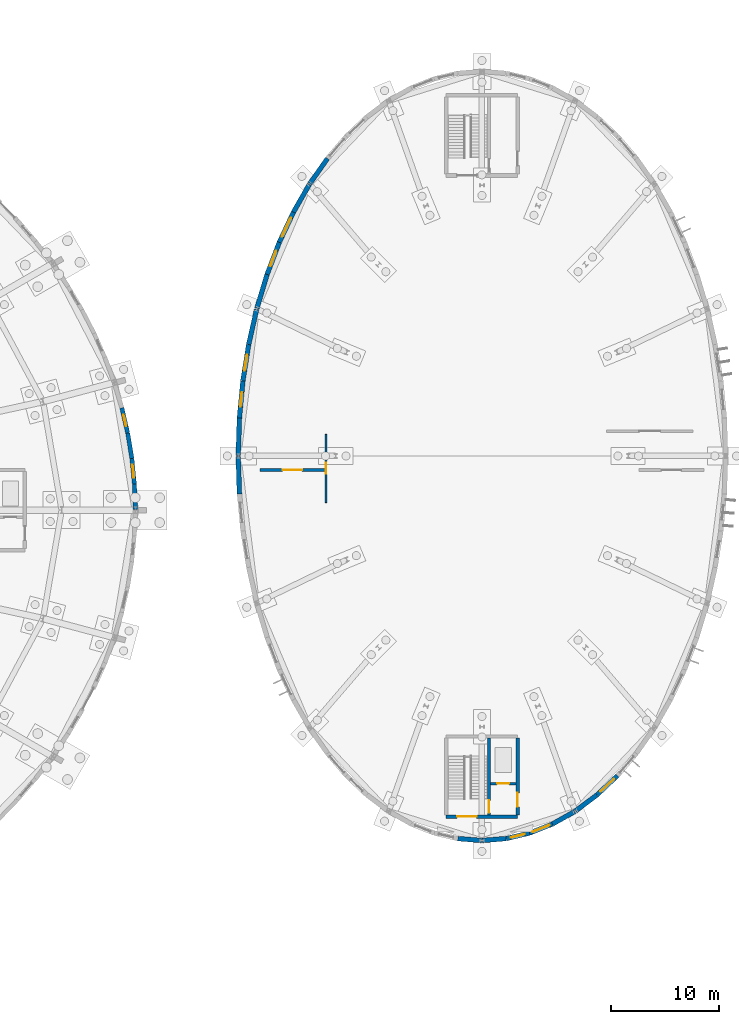
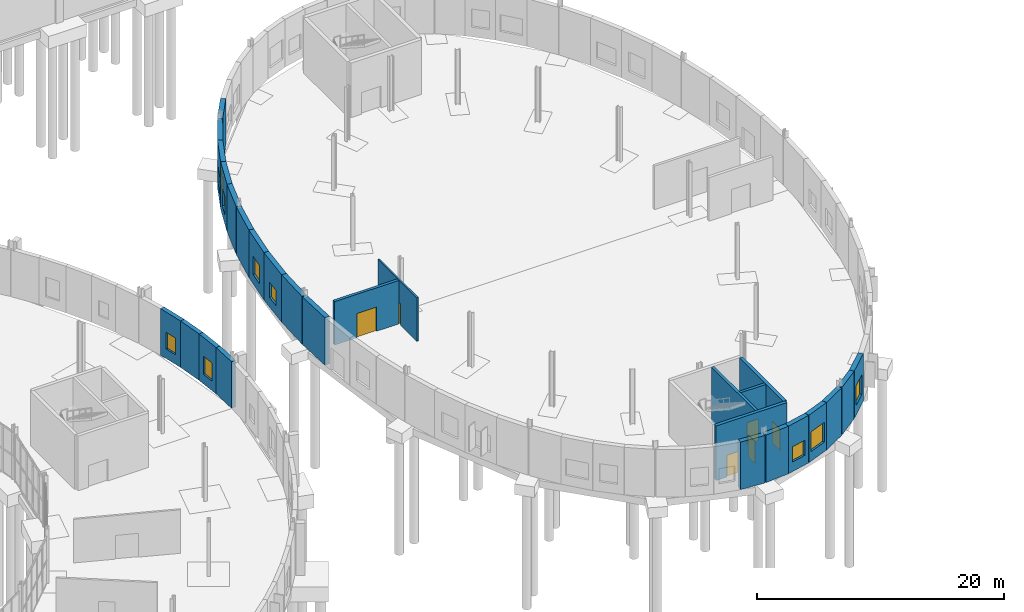
# One storey, part 95 of 118: 27 walls, 9 windows, 6 doors, 15 openings.
"""IFC4 building model written with IfcOpenShell, lengths in metres."""

from ifc_helpers import new_model, si_unit, direction, frame, frame_2d, origin, place, context, subcontext, project, spatial, rectangle, extrude, material, layer, layer_set, type_object, element, fill, save


model = new_model("IFC4")

# Units and contexts
model_context = context("Model", 3, precision=1e-05, world=origin(), true_north=direction((0.0, 1.0)))
body_context = subcontext(model_context, "Body", "Model", "MODEL_VIEW")
ifc_project = project(units=[si_unit("LENGTHUNIT", "METRE"), si_unit("AREAUNIT", "SQUARE_METRE"), si_unit("VOLUMEUNIT", "CUBIC_METRE"), si_unit("PLANEANGLEUNIT", "RADIAN"), si_unit("MASSUNIT", "GRAM", prefix="KILO")], contexts=[model_context])

# Site, building, storey
site_placement = place(None, origin())
site = spatial("IfcSite", under=ifc_project, at=site_placement, CompositionType="ELEMENT")
building_placement = place(site_placement, origin())
building = spatial("IfcBuilding", under=site, at=building_placement, Name="Kildeholm Park Wholesale Market", CompositionType="ELEMENT")
storey_placement = place(building_placement, origin())
storey = spatial("IfcBuildingStorey", under=building, at=storey_placement, Name="L00", CompositionType="ELEMENT", Elevation=0.0)

# Walls
ifc_material_1 = material(Name="Bornholm granite stone plinth and Concrete C35/45 wall", Category="masonry")
ifc_layer_1 = layer(ifc_material_1, 0.39990234375)
ifc_layer_set_1 = layer_set([ifc_layer_1], Name="Bornholm granite stone plinth and Concrete C35/45 wall")
wall_type_1 = type_object("IfcWallType", Name="Exterior wall W-EX2 400 mm", PredefinedType="SOLIDWALL", material=ifc_layer_set_1)
wall_1_placement = place(storey_placement, frame((156.0, 89.5400390625, 0.0), z_axis=(0.0, 0.0, 1.0), x_axis=(-0.033840418878, 0.999427249003, 0.0)))
element("IfcWall", 1, at=wall_1_placement, inside=storey, type_object=wall_type_1, Name="Produce ring outer wall 1.1 WL-0001", PredefinedType="SOLIDWALL", context=body_context, shape_type="SweptSolid", body=[
    extrude(rectangle(XDim=2.366455078125, YDim=0.39990234375, at=frame_2d((1.18310546875, 0.0))), origin(), (0.0, 0.0, 1.0), 4.60009765625),
])
ifc_material_2 = material(Name="Insulated clinker brick and glazed ceramic mosaic facade wall", Category="masonry")
ifc_layer_2 = layer(ifc_material_2, 0.43994140625)
ifc_layer_set_2 = layer_set([ifc_layer_2], Name="Insulated clinker brick and glazed ceramic mosaic facade wall")
wall_type_2 = type_object("IfcWallType", Name="Exterior wall W-EX3 440 mm", PredefinedType="SOLIDWALL", material=ifc_layer_set_2)
wall_2_placement = place(storey_placement, frame((173.739013671875, 121.958984375, 0.0), z_axis=(0.0, 0.0, 1.0), x_axis=(-0.57368792347, -0.81907396886, 0.0)))
element("IfcWall", 2, at=wall_2_placement, inside=storey, type_object=wall_type_2, Name="Oval hall ground wall 6.4 WL-0240", PredefinedType="SOLIDWALL", context=body_context, shape_type="SweptSolid", body=[
    extrude(rectangle(XDim=2.83251953125, YDim=0.43994140625, at=frame_2d((1.416259765625, 0.0))), origin(), (0.0, 0.0, 1.0), 4.699951171875),
])
wall_3_placement = place(storey_placement, frame((172.070068359375, 119.571044921875, 0.0), z_axis=(0.0, 0.0, 1.0), x_axis=(-0.497471035599, -0.867480586953, 0.0)))
element("IfcWall", 3, at=wall_3_placement, inside=storey, type_object=wall_type_2, Name="Oval hall ground wall 7.1 WL-0243", PredefinedType="SOLIDWALL", context=body_context, shape_type="SweptSolid", body=[
    extrude(rectangle(XDim=2.959228515625, YDim=0.43994140625, at=frame_2d((1.4794921875, 0.0))), origin(), (0.0, 0.0, 1.0), 4.699951171875),
])

# Wall, opening, window
wall_4_placement = place(storey_placement, frame((170.597900390625, 117.00390625, 0.0), z_axis=(0.0, 0.0, 1.0), x_axis=(-0.425050654278, -0.905169564942, 0.0)))
wall_4 = element("IfcWall", 4, at=wall_4_placement, inside=storey, type_object=wall_type_2, Name="Oval hall ground wall 7.2 WL-0244", PredefinedType="SOLIDWALL", context=body_context, shape_type="SweptSolid", body=[
    extrude(rectangle(XDim=3.072265625, YDim=0.43994140625, at=frame_2d((1.5361328125, 0.0))), origin(), (0.0, 0.0, 1.0), 4.699951171875),
])
opening_1_placement = place(wall_4_placement, frame((0.56103515625, 0.0, 0.949951171875)))
opening_1 = element("IfcOpeningElement", 5, at=opening_1_placement, cuts=wall_4, Name="Opening WN-22", PredefinedType="OPENING", context=body_context, shape_type="SweptSolid", body=[
    extrude(rectangle(XDim=1.949951171875, YDim=1.64990234375, at=frame_2d((0.97509765625, 0.824951171875))), frame((0.0, 0.22998046875, 0.0), z_axis=(0.0, -1.0, 0.0), x_axis=(1.0, 0.0, 0.0)), (0.0, 0.0, 1.0), 0.4599609375),
])
ifc_material_3 = material(Name="Thermally broken aluminium and triple-glazed low-E glass", Category="aluminium")
window_type_1 = type_object("IfcWindowType", Name="Window WN-22 1950x1650", PartitioningType="DOUBLE_PANEL_VERTICAL", PredefinedType="WINDOW", material=ifc_material_3)
window_1_placement = place(opening_1_placement, origin())
window_1 = element("IfcWindow", 6, at=window_1_placement, inside=storey, type_object=window_type_1, Name="Oval hall ground window 7.1 WIN-0060", OverallHeight=1.64990234375, OverallWidth=1.949951171875, PartitioningType="SINGLE_PANEL", PredefinedType="WINDOW", context=body_context, shape_type="SweptSolid", body=[
    extrude(rectangle(XDim=1.949951171875, YDim=1.64990234375, at=frame_2d((0.97509765625, 0.824951171875))), frame((0.0, 0.030029296875, 0.0), z_axis=(0.0, -1.0, 0.0), x_axis=(1.0, 0.0, 0.0)), (0.0, 0.0, 1.0), 0.06005859375),
])
fill(opening_1, window_1)

wall_5_placement = place(storey_placement, frame((169.2919921875, 114.222900390625, 0.0), z_axis=(0.0, 0.0, 1.0), x_axis=(-0.355407153168, -0.934711589463, 0.0)))
wall_5 = element("IfcWall", 7, at=wall_5_placement, inside=storey, type_object=wall_type_2, Name="Oval hall ground wall 7.3 WL-0245", PredefinedType="SOLIDWALL", context=body_context, shape_type="SweptSolid", body=[
    extrude(rectangle(XDim=3.17626953125, YDim=0.43994140625, at=frame_2d((1.588134765625, 0.0))), origin(), (0.0, 0.0, 1.0), 4.699951171875),
])
opening_2_placement = place(wall_5_placement, frame((0.837890625, 0.0, 0.949951171875)))
opening_2 = element("IfcOpeningElement", 8, at=opening_2_placement, cuts=wall_5, Name="Opening WN-06", PredefinedType="OPENING", context=body_context, shape_type="SweptSolid", body=[
    extrude(rectangle(XDim=1.5, YDim=1.800048828125, at=frame_2d((0.75, 0.89990234375))), frame((0.0, 0.22998046875, 0.0), z_axis=(0.0, -1.0, 0.0), x_axis=(1.0, 0.0, 0.0)), (0.0, 0.0, 1.0), 0.4599609375),
])
window_type_2 = type_object("IfcWindowType", Name="Window WN-06 1500x1800", PartitioningType="DOUBLE_PANEL_VERTICAL", PredefinedType="WINDOW", material=ifc_material_3)
window_2_placement = place(opening_2_placement, origin())
window_2 = element("IfcWindow", 9, at=window_2_placement, inside=storey, type_object=window_type_2, Name="Oval hall ground window 7.2 WIN-0061", OverallHeight=1.800048828125, OverallWidth=1.5, PartitioningType="SINGLE_PANEL", PredefinedType="WINDOW", context=body_context, shape_type="SweptSolid", body=[
    extrude(rectangle(XDim=1.5, YDim=1.800048828125, at=frame_2d((0.75, 0.89990234375))), frame((0.0, 0.030029296875, 0.0), z_axis=(0.0, -1.0, 0.0), x_axis=(1.0, 0.0, 0.0)), (0.0, 0.0, 1.0), 0.06005859375),
])
fill(opening_2, window_2)

# Walls
wall_6_placement = place(storey_placement, frame((168.1630859375, 111.25390625, 0.0), z_axis=(0.0, 0.0, 1.0), x_axis=(-0.287512482209, -0.957776890812, 0.0)))
element("IfcWall", 10, at=wall_6_placement, inside=storey, type_object=wall_type_2, Name="Oval hall ground wall 7.4 WL-0246", PredefinedType="SOLIDWALL", context=body_context, shape_type="SweptSolid", body=[
    extrude(rectangle(XDim=3.265869140625, YDim=0.43994140625, at=frame_2d((1.6328125, 0.0))), origin(), (0.0, 0.0, 1.0), 4.699951171875),
])
wall_7_placement = place(storey_placement, frame((167.202880859375, 108.048095703125, 0.0), z_axis=(0.0, 0.0, 1.0), x_axis=(-0.220592446256, -0.975366071101, 0.0)))
element("IfcWall", 11, at=wall_7_placement, inside=storey, type_object=wall_type_2, Name="Oval hall ground wall 8.1 WL-0249", PredefinedType="SOLIDWALL", context=body_context, shape_type="SweptSolid", body=[
    extrude(rectangle(XDim=3.344482421875, YDim=0.43994140625, at=frame_2d((1.67236328125, 0.0))), origin(), (0.0, 0.0, 1.0), 4.699951171875),
])

# Wall, opening, window
wall_8_placement = place(storey_placement, frame((166.465087890625, 104.785888671875, 0.0), z_axis=(0.0, 0.0, 1.0), x_axis=(-0.156736432103, -0.98764046639, 0.0)))
wall_8 = element("IfcWall", 12, at=wall_8_placement, inside=storey, type_object=wall_type_2, Name="Oval hall ground wall 8.2 WL-0250", PredefinedType="SOLIDWALL", context=body_context, shape_type="SweptSolid", body=[
    extrude(rectangle(XDim=3.40185546875, YDim=0.43994140625, at=frame_2d((1.700927734375, 0.0))), origin(), (0.0, 0.0, 1.0), 4.699951171875),
])
opening_3_placement = place(wall_8_placement, frame((0.950927734375, 0.0, 0.949951171875)))
opening_3 = element("IfcOpeningElement", 13, at=opening_3_placement, cuts=wall_8, Name="Opening WN-06", PredefinedType="OPENING", context=body_context, shape_type="SweptSolid", body=[
    extrude(rectangle(XDim=1.5, YDim=1.800048828125, at=frame_2d((0.75, 0.89990234375))), frame((0.0, 0.22998046875, 0.0), z_axis=(0.0, -1.0, 0.0), x_axis=(1.0, 0.0, 0.0)), (0.0, 0.0, 1.0), 0.4599609375),
])
window_3_placement = place(opening_3_placement, origin())
window_3 = element("IfcWindow", 14, at=window_3_placement, inside=storey, type_object=window_type_2, Name="Oval hall ground window 8.1 WIN-0064", OverallHeight=1.800048828125, OverallWidth=1.5, PartitioningType="SINGLE_PANEL", PredefinedType="WINDOW", context=body_context, shape_type="SweptSolid", body=[
    extrude(rectangle(XDim=1.5, YDim=1.800048828125, at=frame_2d((0.75, 0.89990234375))), frame((0.0, 0.030029296875, 0.0), z_axis=(0.0, -1.0, 0.0), x_axis=(1.0, 0.0, 0.0)), (0.0, 0.0, 1.0), 0.06005859375),
])
fill(opening_3, window_3)

wall_9_placement = place(storey_placement, frame((165.931884765625, 101.426025390625, 0.0), z_axis=(0.0, 0.0, 1.0), x_axis=(-0.093509939446, -0.995618346167, 0.0)))
wall_9 = element("IfcWall", 15, at=wall_9_placement, inside=storey, type_object=wall_type_2, Name="Oval hall ground wall 8.3 WL-0251", PredefinedType="SOLIDWALL", context=body_context, shape_type="SweptSolid", body=[
    extrude(rectangle(XDim=3.441162109375, YDim=0.43994140625, at=frame_2d((1.720703125, 0.0))), origin(), (0.0, 0.0, 1.0), 4.699951171875),
])
opening_4_placement = place(wall_9_placement, frame((1.0458984375, 0.0, 0.949951171875)))
opening_4 = element("IfcOpeningElement", 16, at=opening_4_placement, cuts=wall_9, Name="Opening WN-10", PredefinedType="OPENING", context=body_context, shape_type="SweptSolid", body=[
    extrude(rectangle(XDim=1.35009765625, YDim=1.5, at=frame_2d((0.675048828125, 0.75))), frame((0.0, 0.22998046875, 0.0), z_axis=(0.0, -1.0, 0.0), x_axis=(1.0, 0.0, 0.0)), (0.0, 0.0, 1.0), 0.4599609375),
])
window_type_3 = type_object("IfcWindowType", Name="Window WN-10 1350x1500", PartitioningType="SINGLE_PANEL", PredefinedType="WINDOW", material=ifc_material_3)
window_4_placement = place(opening_4_placement, origin())
window_4 = element("IfcWindow", 17, at=window_4_placement, inside=storey, type_object=window_type_3, Name="Oval hall ground window 8.2 WIN-0065", OverallHeight=1.5, OverallWidth=1.35009765625, PartitioningType="SINGLE_PANEL", PredefinedType="WINDOW", context=body_context, shape_type="SweptSolid", body=[
    extrude(rectangle(XDim=1.35009765625, YDim=1.5, at=frame_2d((0.675048828125, 0.75))), frame((0.0, 0.030029296875, 0.0), z_axis=(0.0, -1.0, 0.0), x_axis=(1.0, 0.0, 0.0)), (0.0, 0.0, 1.0), 0.06005859375),
])
fill(opening_4, window_4)

# Walls
for number, where, z_axis, x_axis, name in (
    (18, (165.610107421875, 98.0, 0.0), (0.0, 0.0, 1.0), (-0.031816182625, -0.999493737111, 0.0), "Oval hall ground wall 8.4 WL-0252"),
    (19, (165.5, 94.458984375, 0.0), (0.0, 0.0, 1.0), (0.031816182625, -0.999493737111, 0.0), "Oval hall ground wall 9.1 WL-0255"),
):
    element("IfcWall", number, at=place(storey_placement, frame(where, z_axis=z_axis, x_axis=x_axis)), inside=storey, type_object=wall_type_2, Name=name, PredefinedType="SOLIDWALL", context=body_context, shape_type="SweptSolid", body=[
        extrude(rectangle(XDim=3.460693359375, YDim=0.43994140625, at=frame_2d((1.73046875, 0.0))), origin(), (0.0, 0.0, 1.0), 4.699951171875),
    ])
for number, where, z_axis, x_axis, name in (
    (20, (185.77490234375, 59.174072265625, 0.0), (0.0, 0.0, 1.0), (0.996844591963, -0.079377953325, 0.0), "Oval hall ground wall 12.4 WL-0276"),
    (21, (188.0390625, 59.0, 0.0), (0.0, 0.0, 1.0), (0.996844591963, 0.079377953325, 0.0), "Oval hall ground wall 13.1 WL-0279"),
):
    element("IfcWall", number, at=place(storey_placement, frame(where, z_axis=z_axis, x_axis=x_axis)), inside=storey, type_object=wall_type_2, Name=name, PredefinedType="SOLIDWALL", context=body_context, shape_type="SweptSolid", body=[
        extrude(rectangle(XDim=2.19287109375, YDim=0.43994140625, at=frame_2d((1.096435546875, 0.0))), origin(), (0.0, 0.0, 1.0), 4.699951171875),
    ])

# Wall, opening, window
wall_10_placement = place(storey_placement, frame((190.22509765625, 59.174072265625, 0.0), z_axis=(0.0, 0.0, 1.0), x_axis=(0.973572460089, 0.228378337317, 0.0)))
wall_10 = element("IfcWall", 22, at=wall_10_placement, inside=storey, type_object=wall_type_2, Name="Oval hall ground wall 13.2 WL-0280", PredefinedType="SOLIDWALL", context=body_context, shape_type="SweptSolid", body=[
    extrude(rectangle(XDim=2.2236328125, YDim=0.43994140625, at=frame_2d((1.11181640625, 0.0))), origin(), (0.0, 0.0, 1.0), 4.699951171875),
])
opening_5_placement = place(wall_10_placement, frame((0.43701171875, 0.0, 0.949951171875)))
opening_5 = element("IfcOpeningElement", 23, at=opening_5_placement, cuts=wall_10, Name="Opening WN-10", PredefinedType="OPENING", context=body_context, shape_type="SweptSolid", body=[
    extrude(rectangle(XDim=1.35009765625, YDim=1.5, at=frame_2d((0.675048828125, 0.75))), frame((0.0, 0.22998046875, 0.0), z_axis=(0.0, -1.0, 0.0), x_axis=(1.0, 0.0, 0.0)), (0.0, 0.0, 1.0), 0.4599609375),
])
window_5_placement = place(opening_5_placement, origin())
window_5 = element("IfcWindow", 24, at=window_5_placement, inside=storey, type_object=window_type_3, Name="Oval hall ground window 13.1 WIN-0079", OverallHeight=1.5, OverallWidth=1.35009765625, PartitioningType="SINGLE_PANEL", PredefinedType="WINDOW", context=body_context, shape_type="SweptSolid", body=[
    extrude(rectangle(XDim=1.35009765625, YDim=1.5, at=frame_2d((0.675048828125, 0.75))), frame((0.0, 0.030029296875, 0.0), z_axis=(0.0, -1.0, 0.0), x_axis=(1.0, 0.0, 0.0)), (0.0, 0.0, 1.0), 0.06005859375),
])
fill(opening_5, window_5)

wall_11_placement = place(storey_placement, frame((192.389892578125, 59.681884765625, 0.0), z_axis=(0.0, 0.0, 1.0), x_axis=(0.930141762333, 0.367200629035, 0.0)))
wall_11 = element("IfcWall", 25, at=wall_11_placement, inside=storey, type_object=wall_type_2, Name="Oval hall ground wall 13.3 WL-0281", PredefinedType="SOLIDWALL", context=body_context, shape_type="SweptSolid", body=[
    extrude(rectangle(XDim=2.282470703125, YDim=0.43994140625, at=frame_2d((1.14111328125, 0.0))), origin(), (0.0, 0.0, 1.0), 4.699951171875),
])
opening_6_placement = place(wall_11_placement, frame((0.291015625, 0.0, 0.949951171875)))
opening_6 = element("IfcOpeningElement", 26, at=opening_6_placement, cuts=wall_11, Name="Opening WN-21", PredefinedType="OPENING", context=body_context, shape_type="SweptSolid", body=[
    extrude(rectangle(XDim=1.699951171875, YDim=1.949951171875, at=frame_2d((0.85009765625, 0.97509765625))), frame((0.0, 0.22998046875, 0.0), z_axis=(0.0, -1.0, 0.0), x_axis=(1.0, 0.0, 0.0)), (0.0, 0.0, 1.0), 0.4599609375),
])
window_type_4 = type_object("IfcWindowType", Name="Window WN-21 1700x1950", PartitioningType="DOUBLE_PANEL_VERTICAL", PredefinedType="WINDOW", material=ifc_material_3)
window_6_placement = place(opening_6_placement, origin())
window_6 = element("IfcWindow", 27, at=window_6_placement, inside=storey, type_object=window_type_4, Name="Oval hall ground window 13.2 WIN-0080", OverallHeight=1.949951171875, OverallWidth=1.699951171875, PartitioningType="SINGLE_PANEL", PredefinedType="WINDOW", context=body_context, shape_type="SweptSolid", body=[
    extrude(rectangle(XDim=1.699951171875, YDim=1.949951171875, at=frame_2d((0.85009765625, 0.97509765625))), frame((0.0, 0.030029296875, 0.0), z_axis=(0.0, -1.0, 0.0), x_axis=(1.0, 0.0, 0.0)), (0.0, 0.0, 1.0), 0.06005859375),
])
fill(opening_6, window_6)

# Walls
wall_12_placement = place(storey_placement, frame((194.512939453125, 60.52001953125, 0.0), z_axis=(0.0, 0.0, 1.0), x_axis=(0.871647221565, 0.490133778817, 0.0)))
element("IfcWall", 28, at=wall_12_placement, inside=storey, type_object=wall_type_2, Name="Oval hall ground wall 13.4 WL-0282", PredefinedType="SOLIDWALL", context=body_context, shape_type="SweptSolid", body=[
    extrude(rectangle(XDim=2.364501953125, YDim=0.43994140625, at=frame_2d((1.18212890625, 0.0))), origin(), (0.0, 0.0, 1.0), 4.699951171875),
])
wall_13_placement = place(storey_placement, frame((196.64111328125, 61.721923828125, 0.0), z_axis=(0.0, 0.0, 1.0), x_axis=(0.800544553706, 0.599273241128, 0.0)))
element("IfcWall", 29, at=wall_13_placement, inside=storey, type_object=wall_type_2, Name="Oval hall ground wall 14.1 WL-0285", PredefinedType="SOLIDWALL", context=body_context, shape_type="SweptSolid", body=[
    extrude(rectangle(XDim=2.473388671875, YDim=0.43994140625, at=frame_2d((1.23681640625, 0.0))), origin(), (0.0, 0.0, 1.0), 4.699951171875),
])

# Wall, opening, window
wall_14_placement = place(storey_placement, frame((198.62109375, 63.2041015625, 0.0), z_axis=(0.0, 0.0, 1.0), x_axis=(0.726185715467, 0.687498586654, 0.0)))
wall_14 = element("IfcWall", 30, at=wall_14_placement, inside=storey, type_object=wall_type_2, Name="Oval hall ground wall 14.2 WL-0286", PredefinedType="SOLIDWALL", context=body_context, shape_type="SweptSolid", body=[
    extrude(rectangle(XDim=2.58740234375, YDim=0.43994140625, at=frame_2d((1.293701171875, 0.0))), origin(), (0.0, 0.0, 1.0), 4.699951171875),
])
opening_7_placement = place(wall_14_placement, frame((0.444091796875, 0.0, 0.949951171875)))
opening_7 = element("IfcOpeningElement", 31, at=opening_7_placement, cuts=wall_14, Name="Opening WN-21", PredefinedType="OPENING", context=body_context, shape_type="SweptSolid", body=[
    extrude(rectangle(XDim=1.699951171875, YDim=1.949951171875, at=frame_2d((0.85009765625, 0.97509765625))), frame((0.0, 0.22998046875, 0.0), z_axis=(0.0, -1.0, 0.0), x_axis=(1.0, 0.0, 0.0)), (0.0, 0.0, 1.0), 0.4599609375),
])
window_7_placement = place(opening_7_placement, origin())
window_7 = element("IfcWindow", 32, at=window_7_placement, inside=storey, type_object=window_type_4, Name="Oval hall ground window 14.1 WIN-0081", OverallHeight=1.949951171875, OverallWidth=1.699951171875, PartitioningType="SINGLE_PANEL", PredefinedType="WINDOW", context=body_context, shape_type="SweptSolid", body=[
    extrude(rectangle(XDim=1.699951171875, YDim=1.949951171875, at=frame_2d((0.85009765625, 0.97509765625))), frame((0.0, 0.030029296875, 0.0), z_axis=(0.0, -1.0, 0.0), x_axis=(1.0, 0.0, 0.0)), (0.0, 0.0, 1.0), 0.06005859375),
])
fill(opening_7, window_7)

ifc_material_4 = material(Name="Bornholm granite and ceramic-banded hall facade wall", Category="masonry")
ifc_layer_3 = layer(ifc_material_4, 0.389892578125)
ifc_layer_set_3 = layer_set([ifc_layer_3], Name="Bornholm granite and ceramic-banded hall facade wall")
wall_type_3 = type_object("IfcWallType", Name="Exterior wall W-EX5 390 mm", PredefinedType="SOLIDWALL", material=ifc_layer_set_3)
wall_15_placement = place(storey_placement, frame((155.919921875, 91.905029296875, 0.0), z_axis=(0.0, 0.0, 1.0), x_axis=(-0.0982595143, 0.995160825118, 0.0)))
wall_15 = element("IfcWall", 33, at=wall_15_placement, inside=storey, type_object=wall_type_3, Name="Produce ring outer wall 1.2 WL-0002", PredefinedType="SOLIDWALL", context=body_context, shape_type="SweptSolid", body=[
    extrude(rectangle(XDim=2.370361328125, YDim=0.389892578125, at=frame_2d((1.18505859375, 0.0))), origin(), (0.0, 0.0, 1.0), 4.60009765625),
])
opening_8_placement = place(wall_15_placement, frame((0.5849609375, 0.0, 0.949951171875)))
opening_8 = element("IfcOpeningElement", 34, at=opening_8_placement, cuts=wall_15, Name="Opening WN-05", PredefinedType="OPENING", context=body_context, shape_type="SweptSolid", body=[
    extrude(rectangle(XDim=1.199951171875, YDim=1.800048828125, at=frame_2d((0.60009765625, 0.89990234375))), frame((0.0, 0.204833984375, 0.0), z_axis=(0.0, -1.0, 0.0), x_axis=(1.0, 0.0, 0.0)), (0.0, 0.0, 1.0), 0.409912109375),
])
window_type_5 = type_object("IfcWindowType", Name="Window WN-05 1200x1800", PartitioningType="SINGLE_PANEL", PredefinedType="WINDOW", material=ifc_material_3)
window_8_placement = place(opening_8_placement, origin())
window_8 = element("IfcWindow", 35, at=window_8_placement, inside=storey, type_object=window_type_5, Name="Produce hall arcade window 1.1 WIN-0001", OverallHeight=1.800048828125, OverallWidth=1.199951171875, PartitioningType="SINGLE_PANEL", PredefinedType="WINDOW", context=body_context, shape_type="SweptSolid", body=[
    extrude(rectangle(XDim=1.199951171875, YDim=1.800048828125, at=frame_2d((0.60009765625, 0.89990234375))), frame((0.0, 0.030029296875, 0.0), z_axis=(0.0, -1.0, 0.0), x_axis=(1.0, 0.0, 0.0)), (0.0, 0.0, 1.0), 0.06005859375),
])
fill(opening_8, window_8)

# Wall
wall_16_placement = place(storey_placement, frame((155.68701171875, 94.263916015625, 0.0), z_axis=(0.0, 0.0, 1.0), x_axis=(-0.162733815116, 0.98667000837, 0.0)))
element("IfcWall", 36, at=wall_16_placement, inside=storey, type_object=wall_type_3, Name="Produce ring outer wall 1.3 WL-0003", PredefinedType="SOLIDWALL", context=body_context, shape_type="SweptSolid", body=[
    extrude(rectangle(XDim=2.3779296875, YDim=0.389892578125, at=frame_2d((1.18896484375, 0.0))), origin(), (0.0, 0.0, 1.0), 4.60009765625),
])

# Wall, opening, window
wall_17_placement = place(storey_placement, frame((155.300048828125, 96.610107421875, 0.0), z_axis=(0.0, 0.0, 1.0), x_axis=(-0.225688046165, 0.974199623187, 0.0)))
wall_17 = element("IfcWall", 37, at=wall_17_placement, inside=storey, type_object=wall_type_3, Name="Produce ring outer wall 1.4 WL-0004", PredefinedType="SOLIDWALL", context=body_context, shape_type="SweptSolid", body=[
    extrude(rectangle(XDim=2.388427734375, YDim=0.389892578125, at=frame_2d((1.1943359375, 0.0))), origin(), (0.0, 0.0, 1.0), 4.60009765625),
])
opening_9_placement = place(wall_17_placement, frame((0.64404296875, 0.0, 0.949951171875)))
opening_9 = element("IfcOpeningElement", 38, at=opening_9_placement, cuts=wall_17, Name="Opening WN-19", PredefinedType="OPENING", context=body_context, shape_type="SweptSolid", body=[
    extrude(rectangle(XDim=1.10009765625, YDim=1.64990234375, at=frame_2d((0.550048828125, 0.824951171875))), frame((0.0, 0.204833984375, 0.0), z_axis=(0.0, -1.0, 0.0), x_axis=(1.0, 0.0, 0.0)), (0.0, 0.0, 1.0), 0.409912109375),
])
window_type_6 = type_object("IfcWindowType", Name="Window WN-19 1100x1650", PartitioningType="SINGLE_PANEL", PredefinedType="WINDOW", material=ifc_material_3)
window_9_placement = place(opening_9_placement, origin())
window_9 = element("IfcWindow", 39, at=window_9_placement, inside=storey, type_object=window_type_6, Name="Produce hall arcade window 1.3 WIN-0002", OverallHeight=1.64990234375, OverallWidth=1.10009765625, PartitioningType="SINGLE_PANEL", PredefinedType="WINDOW", context=body_context, shape_type="SweptSolid", body=[
    extrude(rectangle(XDim=1.10009765625, YDim=1.64990234375, at=frame_2d((0.550048828125, 0.824951171875))), frame((0.0, 0.030029296875, 0.0), z_axis=(0.0, -1.0, 0.0), x_axis=(1.0, 0.0, 0.0)), (0.0, 0.0, 1.0), 0.06005859375),
])
fill(opening_9, window_9)

# Wall, opening, door
ifc_material_5 = material(Name="High-insulation chiller compartment wall")
ifc_layer_4 = layer(ifc_material_5, 0.260009765625)
ifc_layer_set_4 = layer_set([ifc_layer_4], Name="High-insulation chiller compartment wall")
wall_type_4 = type_object("IfcWallType", Name="Partition W-PT10 260 mm", PredefinedType="PARTITIONING", material=ifc_layer_set_4)
wall_18_placement = place(storey_placement, frame((167.5, 93.199951171875, 0.0), z_axis=(0.0, 0.0, 1.0), x_axis=(1.0, 0.0, 0.0)))
wall_18 = element("IfcWall", 40, at=wall_18_placement, inside=storey, type_object=wall_type_4, Name="Interior partition W-V2-DIV-W WL-0957", PredefinedType="PARTITIONING", context=body_context, shape_type="SweptSolid", body=[
    extrude(rectangle(XDim=6.0, YDim=0.260009765625, at=frame_2d((3.0, 0.0))), origin(), (0.0, 0.0, 1.0), 4.300048828125),
])
opening_10_placement = place(wall_18_placement, frame((2.10009765625, 0.0, 0.0)))
opening_10 = element("IfcOpeningElement", 41, at=opening_10_placement, cuts=wall_18, Name="Opening D-CS01", PredefinedType="OPENING", context=body_context, shape_type="SweptSolid", body=[
    extrude(rectangle(XDim=1.800048828125, YDim=2.39990234375, at=frame_2d((0.89990234375, 1.199951171875))), frame((0.0, 0.139892578125, 0.0), z_axis=(0.0, -1.0, 0.0), x_axis=(1.0, 0.0, 0.0)), (0.0, 0.0, 1.0), 0.280029296875),
])
ifc_material_6 = material(Name="Insulated stainless-steel sliding cold-store door", Category="steel")
door_type_1 = type_object("IfcDoorType", Name="Interior door D-CS01 1800x2400", OperationType="NOTDEFINED", PredefinedType="DOOR", material=ifc_material_6)
door_1_placement = place(opening_10_placement, origin())
door_1 = element("IfcDoor", 42, at=door_1_placement, inside=storey, type_object=door_type_1, Name="Interior door V2-DIV-W DR-0232 WL-0957", OperationType="SLIDING_TO_RIGHT", OverallHeight=2.39990234375, OverallWidth=1.800048828125, PredefinedType="DOOR", context=body_context, shape_type="SweptSolid", body=[
    extrude(rectangle(XDim=1.800048828125, YDim=2.39990234375, at=frame_2d((0.89990234375, 1.199951171875))), frame((0.0, 0.02490234375, 0.0), z_axis=(0.0, -1.0, 0.0), x_axis=(1.0, 0.0, 0.0)), (0.0, 0.0, 1.0), 0.050048828125),
])
fill(opening_10, door_1)

ifc_material_7 = material(Name="Tile-faced sanitary core partition")
ifc_layer_5 = layer(ifc_material_7, 0.155029296875)
ifc_layer_set_5 = layer_set([ifc_layer_5], Name="Tile-faced sanitary core partition")
wall_type_5 = type_object("IfcWallType", Name="Partition W-PT15 155 mm", PredefinedType="PARTITIONING", material=ifc_layer_set_5)
wall_19_placement = place(storey_placement, frame((173.60009765625, 90.199951171875, 0.0), z_axis=(0.0, 0.0, 1.0), x_axis=(0.0, 1.0, 0.0)))
wall_19 = element("IfcWall", 43, at=wall_19_placement, inside=storey, type_object=wall_type_5, Name="Interior partition W-V2-WC-E WL-0960", PredefinedType="PARTITIONING", context=body_context, shape_type="SweptSolid", body=[
    extrude(rectangle(XDim=6.300048828125, YDim=0.155029296875, at=frame_2d((3.14990234375, 0.0))), origin(), (0.0, 0.0, 1.0), 4.300048828125),
])
opening_11_placement = place(wall_19_placement, frame((2.64990234375, 0.0, 0.0)))
opening_11 = element("IfcOpeningElement", 44, at=opening_11_placement, cuts=wall_19, Name="Opening D-IN02", PredefinedType="OPENING", context=body_context, shape_type="SweptSolid", body=[
    extrude(rectangle(XDim=1.0, YDim=2.10009765625, at=frame_2d((0.5, 1.050048828125))), frame((0.0, 0.08740234375, 0.0), z_axis=(0.0, -1.0, 0.0), x_axis=(1.0, 0.0, 0.0)), (0.0, 0.0, 1.0), 0.175048828125),
])
ifc_material_8 = material(Name="Hygienic laminate accessible WC doorset")
door_type_2 = type_object("IfcDoorType", Name="Interior door D-IN02 1000x2100", OperationType="NOTDEFINED", PredefinedType="DOOR", material=ifc_material_8)
door_2_placement = place(opening_11_placement, origin())
door_2 = element("IfcDoor", 45, at=door_2_placement, inside=storey, type_object=door_type_2, Name="Interior door V2-WC-E DR-0235 WL-0960", OperationType="SINGLE_SWING_LEFT", OverallHeight=2.10009765625, OverallWidth=1.0, PredefinedType="DOOR", context=body_context, shape_type="SweptSolid", body=[
    extrude(rectangle(XDim=1.0, YDim=2.10009765625, at=frame_2d((0.5, 1.050048828125))), frame((0.0, 0.02490234375, 0.0), z_axis=(0.0, -1.0, 0.0), x_axis=(1.0, 0.0, 0.0)), (0.0, 0.0, 1.0), 0.050048828125),
])
fill(opening_11, door_2)

ifc_material_9 = material(Name="Concrete C40/50", Category="concrete")
ifc_layer_6 = layer(ifc_material_9, 0.300048828125)
ifc_layer_set_6 = layer_set([ifc_layer_6], Name="Concrete C40/50")
wall_type_6 = type_object("IfcWallType", Name="Shear wall W-SH1 300 mm", PredefinedType="SHEAR", material=ifc_layer_set_6)
wall_20_placement = place(storey_placement, frame((184.699951171875, 61.199951171875, 0.0), z_axis=(0.0, 0.0, 1.0), x_axis=(1.0, 0.0, 0.0)))
wall_20 = element("IfcWall", 46, at=wall_20_placement, inside=storey, type_object=wall_type_6, Name="Core C12 south shear wall L00 WL-0858", PredefinedType="SHEAR", context=body_context, shape_type="SweptSolid", body=[
    extrude(rectangle(XDim=6.60009765625, YDim=0.300048828125, at=frame_2d((3.300048828125, 0.0))), origin(), (0.0, 0.0, 1.0), 5.39990234375),
])
opening_12_placement = place(wall_20_placement, frame((1.0, 0.0, 0.0)))
opening_12 = element("IfcOpeningElement", 47, at=opening_12_placement, cuts=wall_20, Name="Opening D-EX05", PredefinedType="OPENING", context=body_context, shape_type="SweptSolid", body=[
    extrude(rectangle(XDim=1.800048828125, YDim=2.14990234375, at=frame_2d((0.89990234375, 1.074951171875))), frame((0.0, 0.159912109375, 0.0), z_axis=(0.0, -1.0, 0.0), x_axis=(1.0, 0.0, 0.0)), (0.0, 0.0, 1.0), 0.320068359375),
])
ifc_material_10 = material(Name="Painted galvanized steel escape doorset", Category="steel")
door_type_3 = type_object("IfcDoorType", Name="Exterior door D-EX05 1800x2150", OperationType="NOTDEFINED", PredefinedType="DOOR", material=ifc_material_10)
door_3_placement = place(opening_12_placement, frame((1.800048828125, 0.0, 0.0), z_axis=(0.0, 0.0, 1.0), x_axis=(-1.0, 0.0, 0.0)))
door_3 = element("IfcDoor", 48, at=door_3_placement, inside=storey, type_object=door_type_3, Name="Core C12 grade stair discharge door DR-0182 WL-0858", OperationType="DOUBLE_DOOR_SINGLE_SWING", OverallHeight=2.14990234375, OverallWidth=1.800048828125, PredefinedType="DOOR", context=body_context, shape_type="SweptSolid", body=[
    extrude(rectangle(XDim=1.800048828125, YDim=2.14990234375, at=frame_2d((0.89990234375, 1.074951171875))), frame((0.0, 0.02490234375, 0.0), z_axis=(0.0, -1.0, 0.0), x_axis=(1.0, 0.0, 0.0)), (0.0, 0.0, 1.0), 0.050048828125),
])
fill(opening_12, door_3)

wall_21_placement = place(storey_placement, frame((191.300048828125, 61.35009765625, 0.0), z_axis=(0.0, 0.0, 1.0), x_axis=(0.0, 1.0, 0.0)))
wall_21 = element("IfcWall", 49, at=wall_21_placement, inside=storey, type_object=wall_type_6, Name="Core C12 east shear wall L00 WL-0861", PredefinedType="SHEAR", context=body_context, shape_type="SweptSolid", body=[
    extrude(rectangle(XDim=7.099853515625, YDim=0.300048828125, at=frame_2d((3.5498046875, 0.0))), origin(), (0.0, 0.0, 1.0), 5.39990234375),
])
opening_13_placement = place(wall_21_placement, frame((0.75, 0.0, 0.0)))
opening_13 = element("IfcOpeningElement", 50, at=opening_13_placement, cuts=wall_21, Name="Opening D-CR02", PredefinedType="OPENING", context=body_context, shape_type="SweptSolid", body=[
    extrude(rectangle(XDim=1.300048828125, YDim=2.14990234375, at=frame_2d((0.64990234375, 1.074951171875))), frame((0.0, 0.159912109375, 0.0), z_axis=(0.0, -1.0, 0.0), x_axis=(1.0, 0.0, 0.0)), (0.0, 0.0, 1.0), 0.320068359375),
])
ifc_material_11 = material(Name="Painted steel core lobby double-leaf doorset", Category="steel")
door_type_4 = type_object("IfcDoorType", Name="Interior door D-CR02 1300x2150", OperationType="NOTDEFINED", PredefinedType="DOOR", material=ifc_material_11)
door_4_placement = place(opening_13_placement, frame((1.300048828125, 0.0, 0.0), z_axis=(0.0, 0.0, 1.0), x_axis=(-1.0, 0.0, 0.0)))
door_4 = element("IfcDoor", 51, at=door_4_placement, inside=storey, type_object=door_type_4, Name="Core C12 lobby entrance door L00 DR-0180 WL-0861", OperationType="DOUBLE_DOOR_SINGLE_SWING", OverallHeight=2.14990234375, OverallWidth=1.300048828125, PredefinedType="DOOR", context=body_context, shape_type="SweptSolid", body=[
    extrude(rectangle(XDim=1.300048828125, YDim=2.14990234375, at=frame_2d((0.64990234375, 1.074951171875))), frame((0.0, 0.02490234375, 0.0), z_axis=(0.0, -1.0, 0.0), x_axis=(1.0, 0.0, 0.0)), (0.0, 0.0, 1.0), 0.050048828125),
])
fill(opening_13, door_4)

ifc_layer_7 = layer(ifc_material_9, 0.25)
ifc_layer_set_7 = layer_set([ifc_layer_7], Name="Concrete C40/50")
wall_type_7 = type_object("IfcWallType", Name="Shear wall W-SH2 250 mm", PredefinedType="SHEAR", material=ifc_layer_set_7)
wall_22_placement = place(storey_placement, frame((188.64990234375, 61.35009765625, 0.0), z_axis=(0.0, 0.0, 1.0), x_axis=(0.0, 1.0, 0.0)))
wall_22 = element("IfcWall", 52, at=wall_22_placement, inside=storey, type_object=wall_type_7, Name="Core C12 shaft wall L00 WL-0862", PredefinedType="SHEAR", context=body_context, shape_type="SweptSolid", body=[
    extrude(rectangle(XDim=7.099853515625, YDim=0.25, at=frame_2d((3.5498046875, 0.0))), origin(), (0.0, 0.0, 1.0), 5.39990234375),
])
opening_14_placement = place(wall_22_placement, frame((0.199951171875, 0.0, 0.0)))
opening_14 = element("IfcOpeningElement", 53, at=opening_14_placement, cuts=wall_22, Name="Opening D-CR01", PredefinedType="OPENING", context=body_context, shape_type="SweptSolid", body=[
    extrude(rectangle(XDim=1.14990234375, YDim=2.14990234375, at=frame_2d((0.574951171875, 1.074951171875))), frame((0.0, 0.135009765625, 0.0), z_axis=(0.0, -1.0, 0.0), x_axis=(1.0, 0.0, 0.0)), (0.0, 0.0, 1.0), 0.27001953125),
])
ifc_material_12 = material(Name="Painted steel fire escape doorset", Category="steel")
door_type_5 = type_object("IfcDoorType", Name="Interior door D-CR01 1150x2150", OperationType="NOTDEFINED", PredefinedType="DOOR", material=ifc_material_12)
door_5_placement = place(opening_14_placement, origin())
door_5 = element("IfcDoor", 54, at=door_5_placement, inside=storey, type_object=door_type_5, Name="Core C12 stair fire door L00 DR-0181 WL-0862", OperationType="SINGLE_SWING_LEFT", OverallHeight=2.14990234375, OverallWidth=1.14990234375, PredefinedType="DOOR", context=body_context, shape_type="SweptSolid", body=[
    extrude(rectangle(XDim=1.14990234375, YDim=2.14990234375, at=frame_2d((0.574951171875, 1.074951171875))), frame((0.0, 0.02490234375, 0.0), z_axis=(0.0, -1.0, 0.0), x_axis=(1.0, 0.0, 0.0)), (0.0, 0.0, 1.0), 0.050048828125),
])
fill(opening_14, door_5)

wall_23_placement = place(storey_placement, frame((188.77001953125, 64.25, 0.0), z_axis=(0.0, 0.0, 1.0), x_axis=(1.0, 0.0, 0.0)))
wall_23 = element("IfcWall", 55, at=wall_23_placement, inside=storey, type_object=wall_type_7, Name="Lift LF-04 shaft front wall L00 WL-0863", PredefinedType="SHEAR", context=body_context, shape_type="SweptSolid", body=[
    extrude(rectangle(XDim=2.3798828125, YDim=0.25, at=frame_2d((1.18994140625, 0.0))), origin(), (0.0, 0.0, 1.0), 5.39990234375),
])
opening_15_placement = place(wall_23_placement, frame((0.639892578125, 0.0, 0.0)))
opening_15 = element("IfcOpeningElement", 56, at=opening_15_placement, cuts=wall_23, Name="Opening LD-04", PredefinedType="OPENING", context=body_context, shape_type="SweptSolid", body=[
    extrude(rectangle(XDim=1.10009765625, YDim=2.14990234375, at=frame_2d((0.550048828125, 1.074951171875))), frame((0.0, 0.135009765625, 0.0), z_axis=(0.0, -1.0, 0.0), x_axis=(1.0, 0.0, 0.0)), (0.0, 0.0, 1.0), 0.27001953125),
])
ifc_material_13 = material(Name="Stainless steel AISI 316 passenger lift landing door", Category="steel")
door_type_6 = type_object("IfcDoorType", Name="Interior door D-LD01 1100x2150", OperationType="NOTDEFINED", PredefinedType="DOOR", material=ifc_material_13)
door_6_placement = place(opening_15_placement, origin())
door_6 = element("IfcDoor", 57, at=door_6_placement, inside=storey, type_object=door_type_6, Name="Lift LF-04 sliding landing door L00 DR-0183 WL-0863", OperationType="SLIDING_TO_LEFT", OverallHeight=2.14990234375, OverallWidth=1.10009765625, PredefinedType="DOOR", context=body_context, shape_type="SweptSolid", body=[
    extrude(rectangle(XDim=1.10009765625, YDim=2.14990234375, at=frame_2d((0.550048828125, 1.074951171875))), frame((0.0, 0.02490234375, 0.0), z_axis=(0.0, -1.0, 0.0), x_axis=(1.0, 0.0, 0.0)), (0.0, 0.0, 1.0), 0.050048828125),
])
fill(opening_15, door_6)

save(model, "model.ifc")
